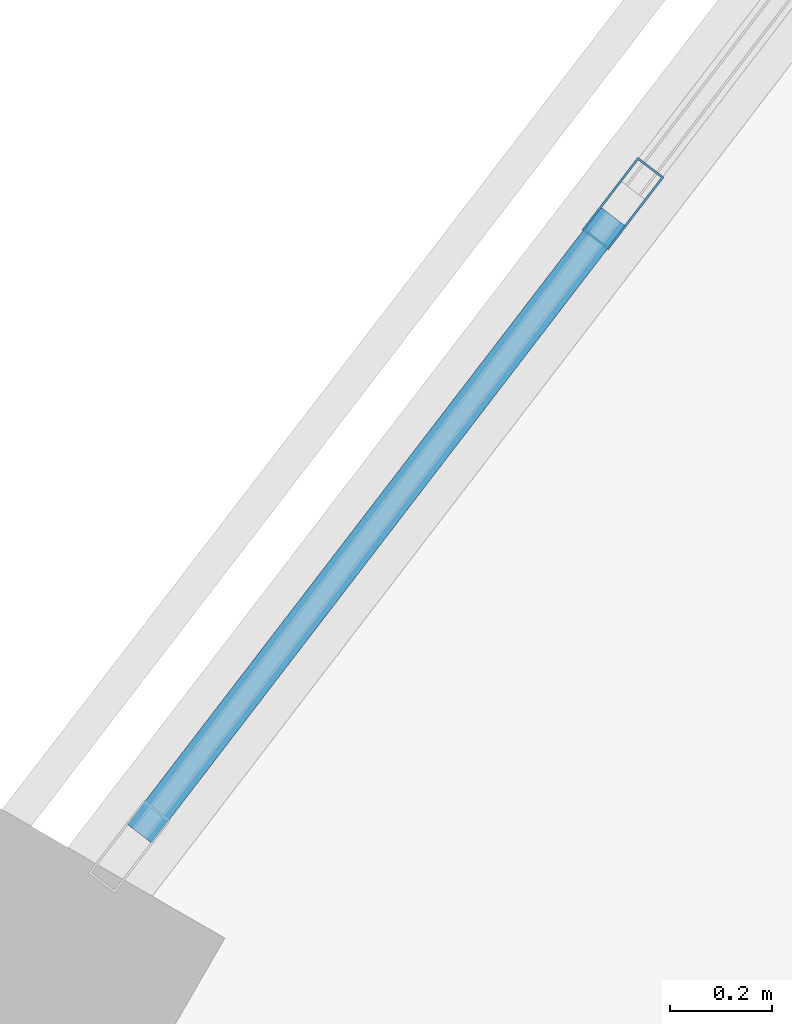
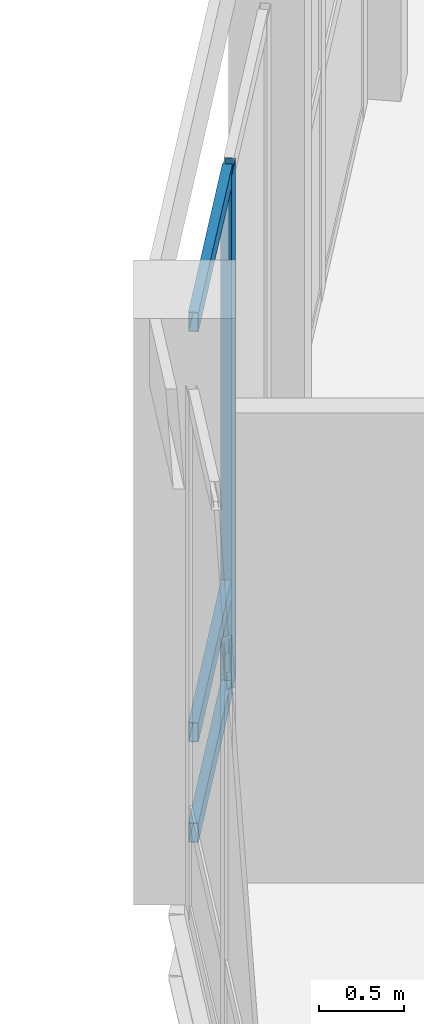
# One storey, part 61 of 170: 4 members, 1 element without a shape of its own.
"""IFC4 building model written with IfcOpenShell, lengths in metres."""

import ifcopenshell
import ifcopenshell.guid

model = None  # the IFC model being written
_history = None  # IfcOwnerHistory: only IFC2X3 demands one
_inside = {}  # id of a spatial element -> (the spatial element, [elements in it])
_under = {}  # id of a project, library or spatial element -> (it, [spatial elements below it])
_declared = {}  # id of a project -> (the project, [libraries it declares])
_typed = {}  # id of a type object -> (the type object, [elements of that type])
_made_of = {}  # id of a material, layer set ... -> (it, [elements and type objects made of it])


def new_model(schema):
    """Start an empty IFC model of exactly this schema.

    Asked for "IFC4X3", IfcOpenShell would pick the latest addendum, in which some entities
    have other attributes; the version numbers below select the first issue.
    IFC2X3 requires an IfcOwnerHistory on every rooted entity: one is made here for all.
    """
    global model, _history
    if schema == "IFC4X3":
        model = ifcopenshell.file(schema_version=(4, 3, 0, 0))
    else:
        model = ifcopenshell.file(schema=schema)
    _inside.clear()
    _under.clear()
    _declared.clear()
    _typed.clear()
    _made_of.clear()
    _history = None
    if model.schema == "IFC2X3":
        org = make("IfcOrganization", Name="unknown")
        user = make(
            "IfcPersonAndOrganization",
            ThePerson=make("IfcPerson", FamilyName="unknown"),
            TheOrganization=org,
        )
        app = make(
            "IfcApplication",
            ApplicationDeveloper=org,
            Version="unknown",
            ApplicationFullName="unknown",
            ApplicationIdentifier="unknown",
        )
        _history = make(
            "IfcOwnerHistory",
            OwningUser=user,
            OwningApplication=app,
            ChangeAction="ADDED",
            CreationDate=0,
        )
    return model


def make(cls, **values):
    """One entity of the class cls with the attributes given. An attribute that is None is left unset."""
    return model.create_entity(
        cls, **{name: value for name, value in values.items() if value is not None}
    )


def rooted(cls, **values):
    """An entity with a GlobalId (a new one), such as an element, a storey or a relation."""
    return make(cls, GlobalId=ifcopenshell.guid.new(), OwnerHistory=_history, **values)


def si_unit(unit_type, name, prefix=None):
    """IfcSIUnit, for example si_unit("LENGTHUNIT", "METRE", prefix="MILLI")."""
    return make("IfcSIUnit", UnitType=unit_type, Prefix=prefix, Name=name)


def assignment(units):
    """IfcUnitAssignment: the units of a project."""
    return None if units is None else make("IfcUnitAssignment", Units=units)


def point(xyz):
    """IfcCartesianPoint."""
    return None if xyz is None else make("IfcCartesianPoint", Coordinates=xyz)


def direction(xyz):
    """IfcDirection."""
    return None if xyz is None else make("IfcDirection", DirectionRatios=xyz)


def frame(location, z_axis=None, x_axis=None):
    """IfcAxis2Placement3D, a coordinate frame: its origin and axes. An axis left out is left unset."""
    return make(
        "IfcAxis2Placement3D",
        Location=point(location),
        Axis=direction(z_axis),
        RefDirection=direction(x_axis),
    )


def frame_2d(location, x_axis=None):
    """IfcAxis2Placement2D, a coordinate frame in the plane: its origin and x axis."""
    return make(
        "IfcAxis2Placement2D", Location=point(location), RefDirection=direction(x_axis)
    )


def origin():
    """The frame at (0, 0, 0) with its axes left unset."""
    return frame((0.0, 0.0, 0.0))


def origin_2d():
    """The frame at (0, 0) in the plane with its x axis left unset."""
    return frame_2d((0.0, 0.0))


def place(relative_to, where):
    """IfcLocalPlacement: puts the frame where relative to a parent placement (None: the world)."""
    return make(
        "IfcLocalPlacement", PlacementRelTo=relative_to, RelativePlacement=where
    )


def context(
    kind, dimensions, precision=None, world=None, true_north=None, identifier=None
):
    """IfcGeometricRepresentationContext, for example the 3D "Model" context."""
    return make(
        "IfcGeometricRepresentationContext",
        ContextIdentifier=identifier,
        ContextType=kind,
        CoordinateSpaceDimension=dimensions,
        Precision=precision,
        WorldCoordinateSystem=world,
        TrueNorth=true_north,
    )


def subcontext(parent, identifier, kind, view, scale=None):
    """IfcGeometricRepresentationSubContext, for example "Body" below "Model"."""
    return make(
        "IfcGeometricRepresentationSubContext",
        ContextIdentifier=identifier,
        ContextType=kind,
        ParentContext=parent,
        TargetScale=scale,
        TargetView=view,
    )


def project(units=None, contexts=None):
    """IfcProject with its units and contexts."""
    return rooted(
        "IfcProject",
        Name="project",
        RepresentationContexts=contexts,
        UnitsInContext=assignment(units),
    )


def spatial(cls, under=None, at=None, **own):
    """A site, building, storey or space (cls), placed at a placement, below another one or the project."""
    s = rooted(cls, ObjectPlacement=at, **own)
    if under is not None:
        _under.setdefault(under.id(), (under, []))[1].append(s)
    return s


def profile(cls, at=None, kind="AREA", **sizes):
    """A parametric profile (cls). Its sizes go by their IFC names, for example OverallWidth=200.0."""
    return make(cls, ProfileType=kind, Position=at, **sizes)


def hollow_rectangle(**sizes):
    """IfcRectangleHollowProfileDef."""
    return profile("IfcRectangleHollowProfileDef", **sizes)


def extrude(swept, where, along, depth):
    """IfcExtrudedAreaSolid: the profile swept, set in the frame where, extruded along a direction by depth."""
    return make(
        "IfcExtrudedAreaSolid",
        SweptArea=swept,
        Position=where,
        ExtrudedDirection=direction(along),
        Depth=depth,
    )


def shape(context_of_items, identifier, shape_type, items):
    """IfcShapeRepresentation: the items that make up one representation, for example the "Body"."""
    return make(
        "IfcShapeRepresentation",
        ContextOfItems=context_of_items,
        RepresentationIdentifier=identifier,
        RepresentationType=shape_type,
        Items=items,
    )


def material(Name=None, Category=None):
    """IfcMaterial."""
    return make("IfcMaterial", Name=Name, Category=Category)


def material_profile(
    of_material, cross_section, Name=None, Category=None, Priority=None
):
    """IfcMaterialProfile: a cross section and its material."""
    return make(
        "IfcMaterialProfile",
        Name=Name,
        Material=of_material,
        Profile=cross_section,
        Priority=Priority,
        Category=Category,
    )


def profile_set(profiles, Name=None, composite=None):
    """IfcMaterialProfileSet."""
    return make(
        "IfcMaterialProfileSet",
        Name=Name,
        MaterialProfiles=profiles,
        CompositeProfile=composite,
    )


def made_of(thing, what):
    """Note that an element or type object is made of a material, layer set ...; save() writes the relation."""
    if what is not None:
        _made_of.setdefault(what.id(), (what, []))[1].append(thing)
    return thing


def type_object(cls, material=None, **own):
    """A type object (cls), such as IfcWallType, which elements share."""
    return made_of(rooted(cls, **own), material)


def element(
    cls,
    number,
    at=None,
    inside=None,
    cuts=None,
    type_object=None,
    material=None,
    context=None,
    identifier="Body",
    shape_type=None,
    held_by="IfcProductDefinitionShape",
    body=None,
    shapes=None,
    **own,
):
    """One element of the class cls, such as IfcWall. Its Tag is "e" and its number.

    at: its placement. inside: the storey or other place that contains it. cuts: it is an
    opening in that element (IfcRelVoidsElement). A single representation is given by context,
    identifier, shape_type and body (its items); several are given by shapes. held_by: the class
    of the entity that holds the representations. save() writes the other relations.
    """
    e = rooted(cls, Tag="e%d" % number, ObjectPlacement=at, **own)
    if body is not None:
        shapes = [shape(context, identifier, shape_type, body)]
    if shapes is not None:
        e.Representation = make(held_by, Representations=shapes)
    if inside is not None:
        _inside.setdefault(inside.id(), (inside, []))[1].append(e)
    if cuts is not None:
        rooted(
            "IfcRelVoidsElement", RelatingBuildingElement=cuts, RelatedOpeningElement=e
        )
    if type_object is not None:
        _typed.setdefault(type_object.id(), (type_object, []))[1].append(e)
    return made_of(e, material)


def aggregate(whole, parts):
    """IfcRelAggregates: a whole, such as a stair, and the parts it consists of."""
    return rooted("IfcRelAggregates", RelatingObject=whole, RelatedObjects=parts)


def save(model, path):
    """Write the relations noted so far, then the file.

    IfcRelAggregates (storeys below a building ...), IfcRelContainedInSpatialStructure (elements
    in a storey), IfcRelDefinesByType, IfcRelAssociatesMaterial and IfcRelDeclares: one each for
    every whole, place, type object, material and project.
    """
    for whole, parts in _under.values():
        aggregate(whole, parts)
    for where, things in _inside.values():
        rooted(
            "IfcRelContainedInSpatialStructure",
            RelatedElements=things,
            RelatingStructure=where,
        )
    for kind, things in _typed.values():
        rooted("IfcRelDefinesByType", RelatedObjects=things, RelatingType=kind)
    for what, things in _made_of.values():
        rooted("IfcRelAssociatesMaterial", RelatedObjects=things, RelatingMaterial=what)
    for by, libraries in _declared.values():
        rooted("IfcRelDeclares", RelatingContext=by, RelatedDefinitions=libraries)
    model.write(path)


model = new_model("IFC4")

# Units and contexts
model_context = context("Model", 3, precision=1e-05, world=origin(), true_north=direction((0.0, 1.0)))
body_context = subcontext(model_context, "Body", "Model", "MODEL_VIEW")
ifc_project = project(units=[si_unit("LENGTHUNIT", "METRE"), si_unit("AREAUNIT", "SQUARE_METRE"), si_unit("VOLUMEUNIT", "CUBIC_METRE"), si_unit("PLANEANGLEUNIT", "RADIAN"), si_unit("MASSUNIT", "GRAM", prefix="KILO")], contexts=[model_context])

# Site, building, storey
site_placement = place(None, origin())
site = spatial("IfcSite", under=ifc_project, at=site_placement, CompositionType="ELEMENT")
building_placement = place(site_placement, origin())
building = spatial("IfcBuilding", under=site, at=building_placement, Name="Vondelvale Polytechnic", CompositionType="ELEMENT")
storey_placement = place(building_placement, frame((0.0, 0.0, 5.39990234375)))
storey = spatial("IfcBuildingStorey", under=building, at=storey_placement, Name="L01", CompositionType="ELEMENT", Elevation=5.39990234375)

# Curtain wall, members
ifc_material_1 = material(Name="Glulam GL18 structural Tasmanian oak (fb = 42 MPa)", Category="wood")
curtain_wall_type = type_object("IfcCurtainWallType", Name="CW-RING-OUTER", PredefinedType="NOTDEFINED", material=ifc_material_1)
curtain_wall_placement = place(storey_placement, origin())
curtain_wall = element("IfcCurtainWall", 1, at=curtain_wall_placement, inside=storey, type_object=curtain_wall_type, Name="L01 architectural curtain wall CW-04-216", PredefinedType="NOTDEFINED")
ifc_material_2 = material(Name="Anodised extruded aluminium 6063-T6", Category="aluminium")
ifc_material_profile_1 = material_profile(ifc_material_2, hollow_rectangle(XDim=0.06494140625, YDim=0.179931640625, WallThickness=0.00390625, at=origin_2d()), Name="CW-MUL-180x65")
ifc_profile_set_1 = profile_set([ifc_material_profile_1], Name="Anodised extruded aluminium 6063-T6")
member_type_1 = type_object("IfcMemberType", Name="CW-MUL-65x180", PredefinedType="MULLION", material=ifc_profile_set_1)
member_1_placement = place(storey_placement, frame((63.356201171875, 96.55517578125, 0.0), z_axis=(0.0, 0.0, 1.0), x_axis=(0.793333825656, -0.608786860133, 0.0)))
member_1 = element("IfcMember", 2, at=member_1_placement, type_object=member_type_1, Name="CW-04-216 mullion 2", PredefinedType="MULLION", context=body_context, shape_type="SweptSolid", body=[
    extrude(hollow_rectangle(XDim=0.06494140625, YDim=0.179931640625, WallThickness=0.00390625, at=origin_2d()), origin(), (0.0, 0.0, 1.0), 3.72021484375),
])
ifc_material_profile_2 = material_profile(ifc_material_2, hollow_rectangle(XDim=0.06005859375, YDim=0.139892578125, WallThickness=0.00341796875, at=origin_2d()), Name="CW-TRN-140x60")
ifc_profile_set_2 = profile_set([ifc_material_profile_2], Name="Anodised extruded aluminium 6063-T6")
member_type_2 = type_object("IfcMemberType", Name="CW-TRN-60x140", PredefinedType="USERDEFINED", material=ifc_profile_set_2)
member_2_placement = place(storey_placement, frame((63.33642578125, 96.529296875, 0.030029296875), z_axis=(-0.608923875222, -0.7932286645, 0.0), x_axis=(0.7932286645, -0.608923875222, 0.0)))
member_2 = element("IfcMember", 3, at=member_2_placement, type_object=member_type_2, Name="CW-04-216 transom 2.1", ObjectType="TRANSOM", PredefinedType="USERDEFINED", context=body_context, shape_type="SweptSolid", body=[
    extrude(hollow_rectangle(XDim=0.06005859375, YDim=0.139892578125, WallThickness=0.00341796875, at=origin_2d()), origin(), (0.0, 0.0, 1.0), 1.530029296875),
])
member_3_placement = place(storey_placement, frame((63.33642578125, 96.529296875, 0.75), z_axis=(-0.608923875222, -0.7932286645, 0.0), x_axis=(0.7932286645, -0.608923875222, 0.0)))
member_3 = element("IfcMember", 4, at=member_3_placement, type_object=member_type_2, Name="CW-04-216 transom 2.2", ObjectType="TRANSOM", PredefinedType="USERDEFINED", context=body_context, shape_type="SweptSolid", body=[
    extrude(hollow_rectangle(XDim=0.06005859375, YDim=0.139892578125, WallThickness=0.00341796875, at=origin_2d()), origin(), (0.0, 0.0, 1.0), 1.530029296875),
])
member_4_placement = place(storey_placement, frame((63.33642578125, 96.529296875, 3.690185546875), z_axis=(-0.608923875222, -0.7932286645, 0.0), x_axis=(0.7932286645, -0.608923875222, 0.0)))
member_4 = element("IfcMember", 5, at=member_4_placement, type_object=member_type_2, Name="CW-04-216 transom 2.3", ObjectType="TRANSOM", PredefinedType="USERDEFINED", context=body_context, shape_type="SweptSolid", body=[
    extrude(hollow_rectangle(XDim=0.06005859375, YDim=0.139892578125, WallThickness=0.00341796875, at=origin_2d()), origin(), (0.0, 0.0, 1.0), 1.530029296875),
])
aggregate(curtain_wall, [member_1, member_2, member_3, member_4])

save(model, "model.ifc")
